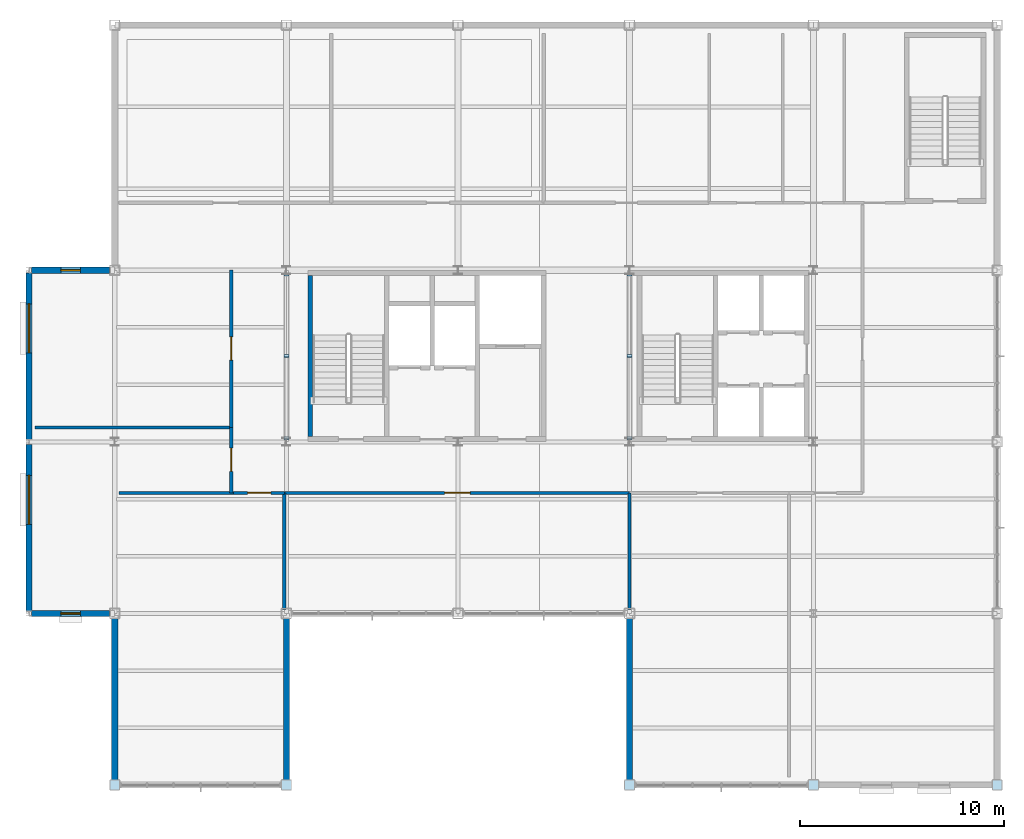
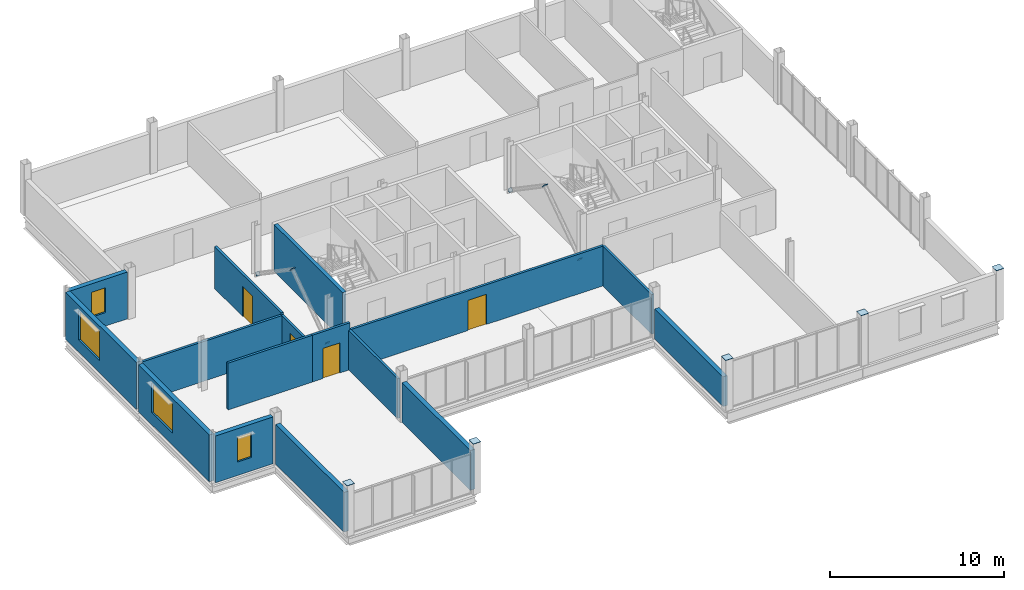
# One storey, part 14 of 19: 16 walls, 11 plates, 4 doors, 4 windows, 8 openings.
"""IFC4 building model written with IfcOpenShell, lengths in metres."""

from ifc_helpers import new_model, si_unit, direction, frame, frame_2d, origin, origin_2d, place, context, subcontext, project, spatial, rectangle, extrude, material, layer, layer_set, type_object, element, fill, save


model = new_model("IFC4")

# Units and contexts
model_context = context("Model", 3, precision=1e-05, world=origin(), true_north=direction((0.0, 1.0)))
body_context = subcontext(model_context, "Body", "Model", "MODEL_VIEW")
ifc_project = project(units=[si_unit("LENGTHUNIT", "METRE"), si_unit("AREAUNIT", "SQUARE_METRE"), si_unit("VOLUMEUNIT", "CUBIC_METRE"), si_unit("PLANEANGLEUNIT", "RADIAN"), si_unit("MASSUNIT", "GRAM", prefix="KILO")], contexts=[model_context])

# Site, building, storey
site_placement = place(None, origin())
site = spatial("IfcSite", under=ifc_project, at=site_placement, CompositionType="ELEMENT")
building_placement = place(site_placement, origin())
building = spatial("IfcBuilding", under=site, at=building_placement, Name="Yukiwa Park Conservatory and Herbarium", CompositionType="ELEMENT")
storey_placement = place(building_placement, frame((0.0, 0.0, 31.800048828125)))
storey = spatial("IfcBuildingStorey", under=building, at=storey_placement, Name="L08", CompositionType="ELEMENT", Elevation=31.800048828125)

# Plates
ifc_material_1 = material(Name="Steel Q355D", Category="steel")
ifc_layer_1 = layer(ifc_material_1, 0.02392578125)
ifc_layer_set_1 = layer_set([ifc_layer_1], Name="Steel Q355D")
plate_type_1 = type_object("IfcPlateType", Name="PL-CAP-24", PredefinedType="USERDEFINED", material=ifc_layer_set_1)
for number, where, z_axis, x_axis, name in (
    (1, (124.800048828125, 78.0, 3.575927734375), (0.0, 0.0, 1.0), (1.0, 0.0, 0.0), "Hollow section end cap plate CAP-COL-L08-V5-X1248-Y780"),
    (2, (133.199951171875, 78.0, 3.575927734375), (0.0, 0.0, 1.0), (1.0, 0.0, 0.0), "Hollow section end cap plate CAP-COL-L08-V5-X1332-Y780"),
    (3, (150.0, 78.0, 3.575927734375), (0.0, 0.0, 1.0), (1.0, 0.0, 0.0), "Hollow section end cap plate CAP-COL-L08-V5-X1500-Y780"),
    (4, (159.0, 78.0, 3.575927734375), (0.0, 0.0, 1.0), (1.0, 0.0, 0.0), "Hollow section end cap plate CAP-COL-L08-V5-X1590-Y780"),
    (5, (168.0, 78.0, 3.575927734375), (0.0, 0.0, 1.0), (1.0, 0.0, 0.0), "Hollow section end cap plate CAP-COL-L08-V5-X1680-Y780"),
):
    element("IfcPlate", number, at=place(storey_placement, frame(where, z_axis=z_axis, x_axis=x_axis)), inside=storey, type_object=plate_type_1, Name=name, ObjectType="END CAP PLATE", PredefinedType="USERDEFINED", context=body_context, shape_type="SweptSolid", body=[
        extrude(rectangle(XDim=0.508056640625, YDim=0.508056640625, at=origin_2d()), origin(), (0.0, 0.0, 1.0), 0.02392578125),
    ])
ifc_material_2 = material(Name="Steel Q355D", Category="steel")
ifc_layer_2 = layer(ifc_material_2, 0.02392578125)
ifc_layer_set_2 = layer_set([ifc_layer_2], Name="Steel Q355D")
plate_type_2 = type_object("IfcPlateType", Name="PL-CAP-24-INT", PredefinedType="USERDEFINED", material=ifc_layer_set_2)
for number, where, z_axis, x_axis, name in (
    (6, (133.199951171875, 95.001953125, 0.187744140625), (0.0, -0.827306252425, -0.561751159054), (1.0, 0.0, 0.0), "Hollow section end cap plate CAP-BR-L08-045A"),
    (7, (133.199951171875, 98.993408203125, 2.91552734375), (0.0, 0.827306252425, 0.561751159054), (-1.0, 0.0, 0.0), "Hollow section end cap plate CAP-BR-L08-045B"),
    (8, (133.199951171875, 102.998046875, 0.187744140625), (0.0, 0.827306252425, -0.561751159054), (-1.0, 0.0, 0.0), "Hollow section end cap plate CAP-BR-L08-046A"),
    (9, (150.0, 95.001953125, 0.187744140625), (0.0, -0.827306252425, -0.561751159054), (1.0, 0.0, 0.0), "Hollow section end cap plate CAP-BR-L08-047A"),
    (10, (150.0, 98.993408203125, 2.91552734375), (0.0, 0.827306252425, 0.561751159054), (-1.0, 0.0, 0.0), "Hollow section end cap plate CAP-BR-L08-047B"),
    (11, (150.0, 102.998046875, 0.187744140625), (0.0, 0.827306252425, -0.561751159054), (-1.0, 0.0, 0.0), "Hollow section end cap plate CAP-BR-L08-048A"),
):
    element("IfcPlate", number, at=place(storey_placement, frame(where, z_axis=z_axis, x_axis=x_axis)), inside=storey, type_object=plate_type_2, Name=name, ObjectType="END CAP PLATE", PredefinedType="USERDEFINED", context=body_context, shape_type="SweptSolid", body=[
        extrude(rectangle(XDim=0.25244140625, YDim=0.25244140625, at=origin_2d()), origin(), (0.0, 0.0, 1.0), 0.02392578125),
    ])

# Walls
ifc_material_3 = material(Name="Concrete C50", Category="concrete")
ifc_layer_3 = layer(ifc_material_3, 0.239990234375)
ifc_layer_set_3 = layer_set([ifc_layer_3], Name="Concrete C50")
wall_type_1 = type_object("IfcWallType", Name="WL-CORE-RC240", PredefinedType="SHEAR", material=ifc_layer_set_3)
wall_1_placement = place(storey_placement, frame((134.3701171875, 95.050048828125, 0.0), z_axis=(0.0, 0.0, 1.0), x_axis=(0.0, 1.0, 0.0)))
element("IfcWall", 12, at=wall_1_placement, inside=storey, type_object=wall_type_1, Name="L08 core shear wall 522", PredefinedType="SHEAR", context=body_context, shape_type="SweptSolid", body=[
    extrude(rectangle(XDim=7.89990234375, YDim=0.239990234375, at=frame_2d((3.949951171875, 0.0))), origin(), (0.0, 0.0, 1.0), 3.294921875),
])
ifc_material_4 = material(Name="Pale Granite Cladding", Category="masonry")
ifc_layer_4 = layer(ifc_material_4, 0.300048828125)
ifc_layer_set_4 = layer_set([ifc_layer_4], Name="Pale Granite Cladding")
wall_type_2 = type_object("IfcWallType", Name="WL-EXT-GRAN-300", PredefinedType="SOLIDWALL", material=ifc_layer_set_4)
for number, where, z_axis, x_axis, name in (
    (13, (124.800048828125, 86.14990234375, 0.0), (0.0, 0.0, 1.0), (0.0, -1.0, 0.0), "L08 exterior envelope wall 320"),
    (14, (133.199951171875, 78.25, 0.0), (0.0, 0.0, 1.0), (0.0, 1.0, 0.0), "L08 exterior envelope wall 321"),
):
    element("IfcWall", number, at=place(storey_placement, frame(where, z_axis=z_axis, x_axis=x_axis)), inside=storey, type_object=wall_type_2, Name=name, PredefinedType="SOLIDWALL", context=body_context, shape_type="SweptSolid", body=[
        extrude(rectangle(XDim=7.89990234375, YDim=0.300048828125, at=frame_2d((3.949951171875, 0.0))), origin(), (0.0, 0.0, 1.0), 2.794921875),
    ])
wall_2_placement = place(storey_placement, frame((150.0, 86.14990234375, 0.0), z_axis=(0.0, 0.0, 1.0), x_axis=(0.0, -1.0, 0.0)))
element("IfcWall", 15, at=wall_2_placement, inside=storey, type_object=wall_type_2, Name="L08 exterior envelope wall 322", PredefinedType="SOLIDWALL", context=body_context, shape_type="SweptSolid", body=[
    extrude(rectangle(XDim=7.89990234375, YDim=0.300048828125, at=frame_2d((3.949951171875, 0.0))), origin(), (0.0, 0.0, 1.0), 2.094970703125),
])

# Wall, opening, window
wall_3_placement = place(storey_placement, frame((124.550048828125, 103.199951171875, 0.0), z_axis=(0.0, 0.0, 1.0), x_axis=(-1.0, 0.0, 0.0)))
wall_3 = element("IfcWall", 16, at=wall_3_placement, inside=storey, type_object=wall_type_2, Name="L08 exterior envelope wall 332", PredefinedType="SOLIDWALL", context=body_context, shape_type="SweptSolid", body=[
    extrude(rectangle(XDim=3.824951171875, YDim=0.300048828125, at=frame_2d((1.91259765625, 0.0))), origin(), (0.0, 0.0, 1.0), 3.294921875),
])
opening_1_placement = place(wall_3_placement, frame((1.43798828125, 0.0, 0.949951171875)))
opening_1 = element("IfcOpeningElement", 17, at=opening_1_placement, cuts=wall_3, Name="Opening W-21", PredefinedType="OPENING", context=body_context, shape_type="SweptSolid", body=[
    extrude(rectangle(XDim=0.949951171875, YDim=1.75, at=frame_2d((0.47509765625, 0.875))), frame((0.0, 0.16015625, 0.0), z_axis=(0.0, -1.0, 0.0), x_axis=(1.0, 0.0, 0.0)), (0.0, 0.0, 1.0), 0.320068359375),
])
ifc_material_5 = material(Name="Triple Low-E Insulated Glass", Category="glass")
window_type_1 = type_object("IfcWindowType", Name="WN-TW-0950X1750", PartitioningType="SINGLE_PANEL", PredefinedType="WINDOW", material=ifc_material_5)
window_1_placement = place(opening_1_placement, origin())
window_1 = element("IfcWindow", 18, at=window_1_placement, inside=storey, type_object=window_type_1, Name="L08 deep-reveal triple-glazed window 256", OverallHeight=1.75, OverallWidth=0.949951171875, PartitioningType="SINGLE_PANEL", PredefinedType="WINDOW", context=body_context, shape_type="SweptSolid", body=[
    extrude(rectangle(XDim=0.949951171875, YDim=1.75, at=frame_2d((0.47509765625, 0.875))), frame((0.0, 0.030029296875, 0.0), z_axis=(0.0, -1.0, 0.0), x_axis=(1.0, 0.0, 0.0)), (0.0, 0.0, 1.0), 0.06005859375),
])
fill(opening_1, window_1)

wall_4_placement = place(storey_placement, frame((120.60009765625, 103.074951171875, 0.0), z_axis=(0.0, 0.0, 1.0), x_axis=(0.0, -1.0, 0.0)))
wall_4 = element("IfcWall", 19, at=wall_4_placement, inside=storey, type_object=wall_type_2, Name="L08 exterior envelope wall 333", PredefinedType="SOLIDWALL", context=body_context, shape_type="SweptSolid", body=[
    extrude(rectangle(XDim=8.14990234375, YDim=0.300048828125, at=frame_2d((4.074951171875, 0.0))), origin(), (0.0, 0.0, 1.0), 3.294921875),
])
opening_2_placement = place(wall_4_placement, frame((1.51708984375, 0.0, 0.85009765625)))
opening_2 = element("IfcOpeningElement", 20, at=opening_2_placement, cuts=wall_4, Name="Opening W-09", PredefinedType="OPENING", context=body_context, shape_type="SweptSolid", body=[
    extrude(rectangle(XDim=2.39990234375, YDim=2.10009765625, at=frame_2d((1.199951171875, 1.050048828125))), frame((0.0, 0.16015625, 0.0), z_axis=(0.0, -1.0, 0.0), x_axis=(1.0, 0.0, 0.0)), (0.0, 0.0, 1.0), 0.320068359375),
])
ifc_material_6 = material(Name="Triple Low-E Insulated Glass", Category="glass")
window_type_2 = type_object("IfcWindowType", Name="WN-TW-2400X2100", PartitioningType="SINGLE_PANEL", PredefinedType="WINDOW", material=ifc_material_6)
window_2_placement = place(opening_2_placement, origin())
window_2 = element("IfcWindow", 21, at=window_2_placement, inside=storey, type_object=window_type_2, Name="L08 deep-reveal triple-glazed window 257", OverallHeight=2.10009765625, OverallWidth=2.39990234375, PartitioningType="SINGLE_PANEL", PredefinedType="WINDOW", context=body_context, shape_type="SweptSolid", body=[
    extrude(rectangle(XDim=2.39990234375, YDim=2.10009765625, at=frame_2d((1.199951171875, 1.050048828125))), frame((0.0, 0.030029296875, 0.0), z_axis=(0.0, -1.0, 0.0), x_axis=(1.0, 0.0, 0.0)), (0.0, 0.0, 1.0), 0.06005859375),
])
fill(opening_2, window_2)

wall_5_placement = place(storey_placement, frame((120.60009765625, 94.675048828125, 0.0), z_axis=(0.0, 0.0, 1.0), x_axis=(0.0, -1.0, 0.0)))
wall_5 = element("IfcWall", 22, at=wall_5_placement, inside=storey, type_object=wall_type_2, Name="L08 exterior envelope wall 334", PredefinedType="SOLIDWALL", context=body_context, shape_type="SweptSolid", body=[
    extrude(rectangle(XDim=8.150146484375, YDim=0.300048828125, at=frame_2d((4.0751953125, 0.0))), origin(), (0.0, 0.0, 1.0), 3.294921875),
])
opening_3_placement = place(wall_5_placement, frame((1.51708984375, 0.0, 0.85009765625)))
opening_3 = element("IfcOpeningElement", 23, at=opening_3_placement, cuts=wall_5, Name="Opening W-09", PredefinedType="OPENING", context=body_context, shape_type="SweptSolid", body=[
    extrude(rectangle(XDim=2.39990234375, YDim=2.10009765625, at=frame_2d((1.199951171875, 1.050048828125))), frame((0.0, 0.16015625, 0.0), z_axis=(0.0, -1.0, 0.0), x_axis=(1.0, 0.0, 0.0)), (0.0, 0.0, 1.0), 0.320068359375),
])
window_3_placement = place(opening_3_placement, origin())
window_3 = element("IfcWindow", 24, at=window_3_placement, inside=storey, type_object=window_type_2, Name="L08 deep-reveal triple-glazed window 258", OverallHeight=2.10009765625, OverallWidth=2.39990234375, PartitioningType="SINGLE_PANEL", PredefinedType="WINDOW", context=body_context, shape_type="SweptSolid", body=[
    extrude(rectangle(XDim=2.39990234375, YDim=2.10009765625, at=frame_2d((1.199951171875, 1.050048828125))), frame((0.0, 0.030029296875, 0.0), z_axis=(0.0, -1.0, 0.0), x_axis=(1.0, 0.0, 0.0)), (0.0, 0.0, 1.0), 0.06005859375),
])
fill(opening_3, window_3)

wall_6_placement = place(storey_placement, frame((120.72509765625, 86.39990234375, 0.0), z_axis=(0.0, 0.0, 1.0), x_axis=(1.0, 0.0, 0.0)))
wall_6 = element("IfcWall", 25, at=wall_6_placement, inside=storey, type_object=wall_type_2, Name="L08 exterior envelope wall 335", PredefinedType="SOLIDWALL", context=body_context, shape_type="SweptSolid", body=[
    extrude(rectangle(XDim=3.824951171875, YDim=0.300048828125, at=frame_2d((1.91259765625, 0.0))), origin(), (0.0, 0.0, 1.0), 3.294921875),
])
opening_4_placement = place(wall_6_placement, frame((1.43798828125, 0.0, 0.949951171875)))
opening_4 = element("IfcOpeningElement", 26, at=opening_4_placement, cuts=wall_6, Name="Opening W-21", PredefinedType="OPENING", context=body_context, shape_type="SweptSolid", body=[
    extrude(rectangle(XDim=0.949951171875, YDim=1.75, at=frame_2d((0.47509765625, 0.875))), frame((0.0, 0.16015625, 0.0), z_axis=(0.0, -1.0, 0.0), x_axis=(1.0, 0.0, 0.0)), (0.0, 0.0, 1.0), 0.320068359375),
])
window_4_placement = place(opening_4_placement, origin())
window_4 = element("IfcWindow", 27, at=window_4_placement, inside=storey, type_object=window_type_1, Name="L08 deep-reveal triple-glazed window 259", OverallHeight=1.75, OverallWidth=0.949951171875, PartitioningType="SINGLE_PANEL", PredefinedType="WINDOW", context=body_context, shape_type="SweptSolid", body=[
    extrude(rectangle(XDim=0.949951171875, YDim=1.75, at=frame_2d((0.47509765625, 0.875))), frame((0.0, 0.030029296875, 0.0), z_axis=(0.0, -1.0, 0.0), x_axis=(1.0, 0.0, 0.0)), (0.0, 0.0, 1.0), 0.06005859375),
])
fill(opening_4, window_4)

# Wall, opening, door
ifc_material_7 = material(Name="Gypsum Board Partition", Category="gypsum")
ifc_layer_5 = layer(ifc_material_7, 0.159912109375)
ifc_layer_set_5 = layer_set([ifc_layer_5], Name="Gypsum Board Partition")
wall_type_3 = type_object("IfcWallType", Name="WL-PART-GYP-160", PredefinedType="PARTITIONING", material=ifc_layer_set_5)
wall_7_placement = place(storey_placement, frame((130.5, 92.300048828125, 0.0), z_axis=(0.0, 0.0, 1.0), x_axis=(0.0, 1.0, 0.0)))
wall_7 = element("IfcWall", 28, at=wall_7_placement, inside=storey, type_object=wall_type_3, Name="L08 interior partition wall 554", PredefinedType="PARTITIONING", context=body_context, shape_type="SweptSolid", body=[
    extrude(rectangle(XDim=3.199951171875, YDim=0.159912109375, at=frame_2d((1.60009765625, 0.0))), origin(), (0.0, 0.0, 1.0), 2.794921875),
])
opening_5_placement = place(wall_7_placement, frame((1.050048828125, 0.0, 0.0)))
opening_5 = element("IfcOpeningElement", 29, at=opening_5_placement, cuts=wall_7, Name="Opening LD-11", PredefinedType="OPENING", context=body_context, shape_type="SweptSolid", body=[
    extrude(rectangle(XDim=1.139892578125, YDim=2.1201171875, at=frame_2d((0.56982421875, 1.06005859375))), frame((0.0, 0.08984375, 0.0), z_axis=(0.0, -1.0, 0.0), x_axis=(1.0, 0.0, 0.0)), (0.0, 0.0, 1.0), 0.179931640625),
])
ifc_material_8 = material(Name="Steel Q235B", Category="steel")
door_type_1 = type_object("IfcDoorType", Name="DR-LAB-1100", OperationType="SINGLE_SWING_RIGHT", PredefinedType="DOOR", material=ifc_material_8)
door_1_placement = place(opening_5_placement, origin())
door_1 = element("IfcDoor", 30, at=door_1_placement, inside=storey, type_object=door_type_1, Name="L08 Microscopy Prep door", OperationType="SINGLE_SWING_RIGHT", OverallHeight=2.1201171875, OverallWidth=1.139892578125, PredefinedType="DOOR", context=body_context, shape_type="SweptSolid", body=[
    extrude(rectangle(XDim=1.139892578125, YDim=2.1201171875, at=frame_2d((0.56982421875, 1.06005859375))), frame((0.0, 0.02490234375, 0.0), z_axis=(0.0, -1.0, 0.0), x_axis=(1.0, 0.0, 0.0)), (0.0, 0.0, 1.0), 0.050048828125),
])
fill(opening_5, door_1)

wall_8_placement = place(storey_placement, frame((130.5, 95.5, 0.0), z_axis=(0.0, 0.0, 1.0), x_axis=(0.0, 1.0, 0.0)))
wall_8 = element("IfcWall", 31, at=wall_8_placement, inside=storey, type_object=wall_type_3, Name="L08 interior partition wall 555", PredefinedType="PARTITIONING", context=body_context, shape_type="SweptSolid", body=[
    extrude(rectangle(XDim=7.699951171875, YDim=0.159912109375, at=frame_2d((3.85009765625, 0.0))), origin(), (0.0, 0.0, 1.0), 2.945068359375),
])
opening_6_placement = place(wall_8_placement, frame((3.300048828125, 0.0, 0.0)))
opening_6 = element("IfcOpeningElement", 32, at=opening_6_placement, cuts=wall_8, Name="Opening LD-11", PredefinedType="OPENING", context=body_context, shape_type="SweptSolid", body=[
    extrude(rectangle(XDim=1.139892578125, YDim=2.1201171875, at=frame_2d((0.56982421875, 1.06005859375))), frame((0.0, 0.08984375, 0.0), z_axis=(0.0, -1.0, 0.0), x_axis=(1.0, 0.0, 0.0)), (0.0, 0.0, 1.0), 0.179931640625),
])
door_2_placement = place(opening_6_placement, origin())
door_2 = element("IfcDoor", 33, at=door_2_placement, inside=storey, type_object=door_type_1, Name="L08 Confocal Suite door", OperationType="SINGLE_SWING_RIGHT", OverallHeight=2.1201171875, OverallWidth=1.139892578125, PredefinedType="DOOR", context=body_context, shape_type="SweptSolid", body=[
    extrude(rectangle(XDim=1.139892578125, YDim=2.1201171875, at=frame_2d((0.56982421875, 1.06005859375))), frame((0.0, 0.02490234375, 0.0), z_axis=(0.0, -1.0, 0.0), x_axis=(1.0, 0.0, 0.0)), (0.0, 0.0, 1.0), 0.050048828125),
])
fill(opening_6, door_2)

# Wall
wall_9_placement = place(storey_placement, frame((120.89990234375, 95.5, 0.0), z_axis=(0.0, 0.0, 1.0), x_axis=(1.0, 0.0, 0.0)))
element("IfcWall", 34, at=wall_9_placement, inside=storey, type_object=wall_type_3, Name="L08 interior partition wall 556", PredefinedType="PARTITIONING", context=body_context, shape_type="SweptSolid", body=[
    extrude(rectangle(XDim=9.60009765625, YDim=0.159912109375, at=frame_2d((4.800048828125, 0.0))), origin(), (0.0, 0.0, 1.0), 2.794921875),
])

# Wall, opening, door
wall_10_placement = place(storey_placement, frame((130.60009765625, 92.300048828125, 0.0), z_axis=(0.0, 0.0, 1.0), x_axis=(1.0, 0.0, 0.0)))
wall_10 = element("IfcWall", 35, at=wall_10_placement, inside=storey, type_object=wall_type_3, Name="L08 interior partition wall 557", PredefinedType="PARTITIONING", context=body_context, shape_type="SweptSolid", body=[
    extrude(rectangle(XDim=2.5, YDim=0.159912109375, at=frame_2d((1.25, 0.0))), origin(), (0.0, 0.0, 1.0), 3.294921875),
])
opening_7_placement = place(wall_10_placement, frame((0.699951171875, 0.0, 0.0)))
opening_7 = element("IfcOpeningElement", 36, at=opening_7_placement, cuts=wall_10, Name="Opening LD-11", PredefinedType="OPENING", context=body_context, shape_type="SweptSolid", body=[
    extrude(rectangle(XDim=1.139892578125, YDim=2.1201171875, at=frame_2d((0.56982421875, 1.06005859375))), frame((0.0, 0.08984375, 0.0), z_axis=(0.0, -1.0, 0.0), x_axis=(1.0, 0.0, 0.0)), (0.0, 0.0, 1.0), 0.179931640625),
])
door_3_placement = place(opening_7_placement, origin())
door_3 = element("IfcDoor", 37, at=door_3_placement, inside=storey, type_object=door_type_1, Name="L08 Plant Pathology Lab door", OperationType="SINGLE_SWING_RIGHT", OverallHeight=2.1201171875, OverallWidth=1.139892578125, PredefinedType="DOOR", context=body_context, shape_type="SweptSolid", body=[
    extrude(rectangle(XDim=1.139892578125, YDim=2.1201171875, at=frame_2d((0.56982421875, 1.06005859375))), frame((0.0, 0.02490234375, 0.0), z_axis=(0.0, -1.0, 0.0), x_axis=(1.0, 0.0, 0.0)), (0.0, 0.0, 1.0), 0.050048828125),
])
fill(opening_7, door_3)

wall_11_placement = place(storey_placement, frame((133.10009765625, 92.300048828125, 0.0), z_axis=(0.0, 0.0, 1.0), x_axis=(1.0, 0.0, 0.0)))
wall_11 = element("IfcWall", 38, at=wall_11_placement, inside=storey, type_object=wall_type_3, Name="L08 interior partition wall 558", PredefinedType="PARTITIONING", context=body_context, shape_type="SweptSolid", body=[
    extrude(rectangle(XDim=16.89990234375, YDim=0.159912109375, at=frame_2d((8.449951171875, 0.0))), origin(), (0.0, 0.0, 1.0), 2.794921875),
])
opening_8_placement = place(wall_11_placement, frame((7.85009765625, 0.0, 0.0)))
opening_8 = element("IfcOpeningElement", 39, at=opening_8_placement, cuts=wall_11, Name="Opening LD-12", PredefinedType="OPENING", context=body_context, shape_type="SweptSolid", body=[
    extrude(rectangle(XDim=1.25, YDim=2.1201171875, at=frame_2d((0.625, 1.06005859375))), frame((0.0, 0.08984375, 0.0), z_axis=(0.0, -1.0, 0.0), x_axis=(1.0, 0.0, 0.0)), (0.0, 0.0, 1.0), 0.179931640625),
])
ifc_material_9 = material(Name="Steel Q235B", Category="steel")
door_type_2 = type_object("IfcDoorType", Name="DR-LAB-1200", OperationType="SINGLE_SWING_LEFT", PredefinedType="DOOR", material=ifc_material_9)
door_4_placement = place(opening_8_placement, origin())
door_4 = element("IfcDoor", 40, at=door_4_placement, inside=storey, type_object=door_type_2, Name="L08 Histology Suite door", OperationType="SINGLE_SWING_LEFT", OverallHeight=2.1201171875, OverallWidth=1.25, PredefinedType="DOOR", context=body_context, shape_type="SweptSolid", body=[
    extrude(rectangle(XDim=1.25, YDim=2.1201171875, at=frame_2d((0.625, 1.06005859375))), frame((0.0, 0.02490234375, 0.0), z_axis=(0.0, -1.0, 0.0), x_axis=(1.0, 0.0, 0.0)), (0.0, 0.0, 1.0), 0.050048828125),
])
fill(opening_8, door_4)

# Walls
wall_12_placement = place(storey_placement, frame((125.0, 92.300048828125, 0.0), z_axis=(0.0, 0.0, 1.0), x_axis=(1.0, 0.0, 0.0)))
element("IfcWall", 41, at=wall_12_placement, inside=storey, type_object=wall_type_3, Name="L08 interior partition wall 561", PredefinedType="PARTITIONING", context=body_context, shape_type="SweptSolid", body=[
    extrude(rectangle(XDim=5.60009765625, YDim=0.159912109375, at=frame_2d((2.800048828125, 0.0))), origin(), (0.0, 0.0, 1.0), 3.294921875),
])
for number, where, z_axis, x_axis, name in (
    (42, (133.10009765625, 86.60009765625, 0.0), (0.0, 0.0, 1.0), (0.0, 1.0, 0.0), "L08 interior partition wall 562"),
    (43, (150.0, 86.60009765625, 0.0), (0.0, 0.0, 1.0), (0.0, 1.0, 0.0), "L08 interior partition wall 563"),
):
    element("IfcWall", number, at=place(storey_placement, frame(where, z_axis=z_axis, x_axis=x_axis)), inside=storey, type_object=wall_type_3, Name=name, PredefinedType="PARTITIONING", context=body_context, shape_type="SweptSolid", body=[
        extrude(rectangle(XDim=5.699951171875, YDim=0.159912109375, at=frame_2d((2.85009765625, 0.0))), origin(), (0.0, 0.0, 1.0), 2.794921875),
    ])

save(model, "model.ifc")
